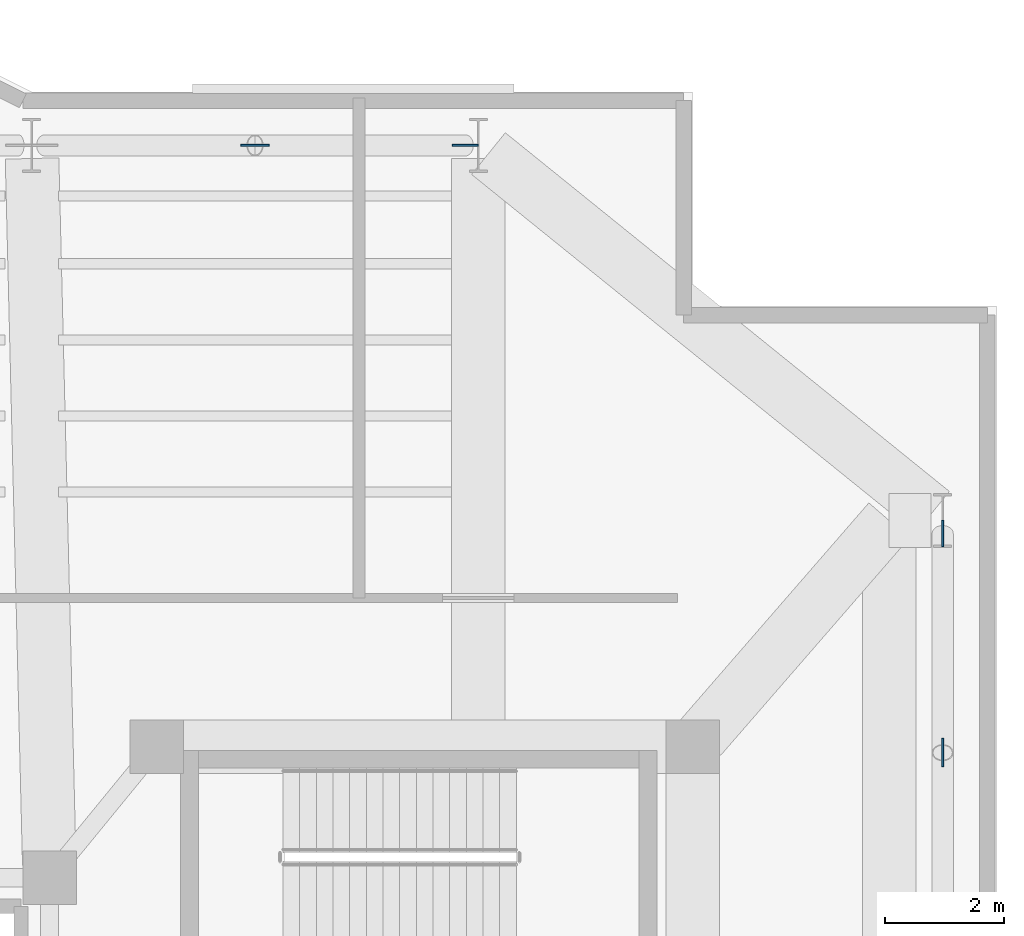
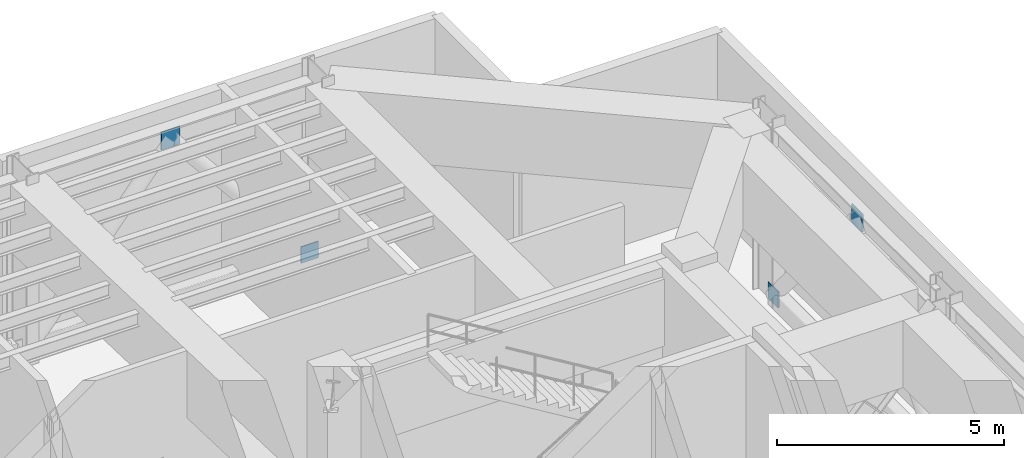
# One storey, part 7 of 13: 4 plates.
"""IFC4 building model written with IfcOpenShell, lengths in metres."""

from ifc_helpers import new_model, si_unit, direction, frame, origin, origin_2d, place, context, subcontext, project, spatial, rectangle, extrude, material, layer, layer_set, type_object, element, save


model = new_model("IFC4")

# Units and contexts
model_context = context("Model", 3, precision=1e-05, world=origin(), true_north=direction((0.0, 1.0)))
body_context = subcontext(model_context, "Body", "Model", "MODEL_VIEW")
ifc_project = project(units=[si_unit("LENGTHUNIT", "METRE"), si_unit("AREAUNIT", "SQUARE_METRE"), si_unit("VOLUMEUNIT", "CUBIC_METRE"), si_unit("PLANEANGLEUNIT", "RADIAN"), si_unit("MASSUNIT", "GRAM", prefix="KILO")], contexts=[model_context])

# Site, building, storey
site_placement = place(None, origin())
site = spatial("IfcSite", under=ifc_project, at=site_placement, CompositionType="ELEMENT")
building_placement = place(site_placement, origin())
building = spatial("IfcBuilding", under=site, at=building_placement, Name="Tarnavaz Court Tower", CompositionType="ELEMENT")
storey_placement = place(building_placement, frame((0.0, 0.0, 236.39990234375)))
storey = spatial("IfcBuildingStorey", under=building, at=storey_placement, Name="L64", CompositionType="ELEMENT", Elevation=236.39990234375)

# Plates
ifc_material = material(Name="Steel S355", Category="steel")
ifc_layer = layer(ifc_material, 0.030029296875)
ifc_layer_set = layer_set([ifc_layer], Name="Steel S355")
plate_type = type_object("IfcPlateType", Name="PL-GUSSET-30", PredefinedType="USERDEFINED", material=ifc_layer_set)
for number, where, z_axis, x_axis, name in (
    (1, (11.25, 20.10009765625, 4.260009765625), (0.0, 0.0, 1.0), (1.0, 0.0, 0.0), "L64 Belt Truss Apex Gusset & End-Cap Plate 03"),
    (2, (22.800048828125, 9.89990234375, 4.260009765625), (0.0, 0.0, 1.0), (0.0, 1.0, 0.0), "L64 Belt Truss Apex Gusset & End-Cap Plate 09"),
):
    element("IfcPlate", number, at=place(storey_placement, frame(where, z_axis=z_axis, x_axis=x_axis)), inside=storey, type_object=plate_type, Name=name, ObjectType="GUSSET PLATE", PredefinedType="USERDEFINED", context=body_context, shape_type="SweptSolid", body=[
        extrude(rectangle(XDim=0.47998046875, YDim=0.030029296875, at=origin_2d()), origin(), (0.0, 0.0, 1.0), 0.47998046875),
    ])
for number, where, z_axis, x_axis, name in (
    (3, (14.780029296875, 20.10009765625, -0.019775390625), (0.0, 0.0, 1.0), (1.0, 0.0, 0.0), "L64 Structural Brace & Strut End Gusset Plate 116"),
    (4, (22.800048828125, 13.580078125, -0.019775390625), (0.0, 0.0, 1.0), (0.0, 1.0, 0.0), "L64 Structural Brace & Strut End Gusset Plate 128"),
):
    element("IfcPlate", number, at=place(storey_placement, frame(where, z_axis=z_axis, x_axis=x_axis)), inside=storey, type_object=plate_type, Name=name, ObjectType="GUSSET PLATE", PredefinedType="USERDEFINED", context=body_context, shape_type="SweptSolid", body=[
        extrude(rectangle(XDim=0.43994140625, YDim=0.030029296875, at=origin_2d()), origin(), (0.0, 0.0, 1.0), 0.43994140625),
    ])

save(model, "model.ifc")
